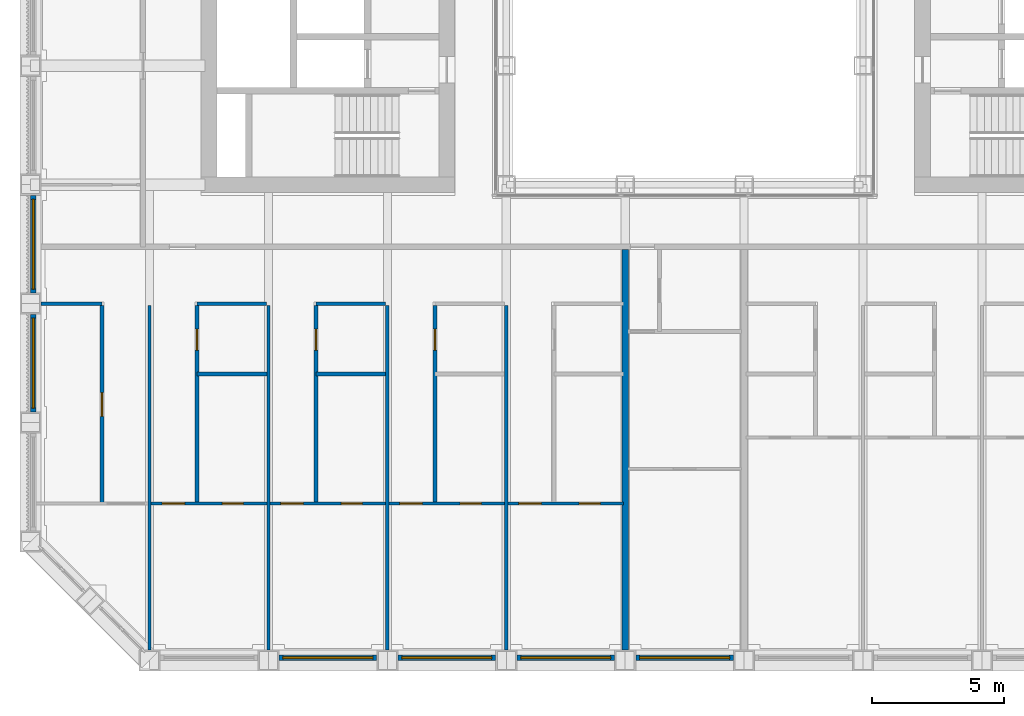
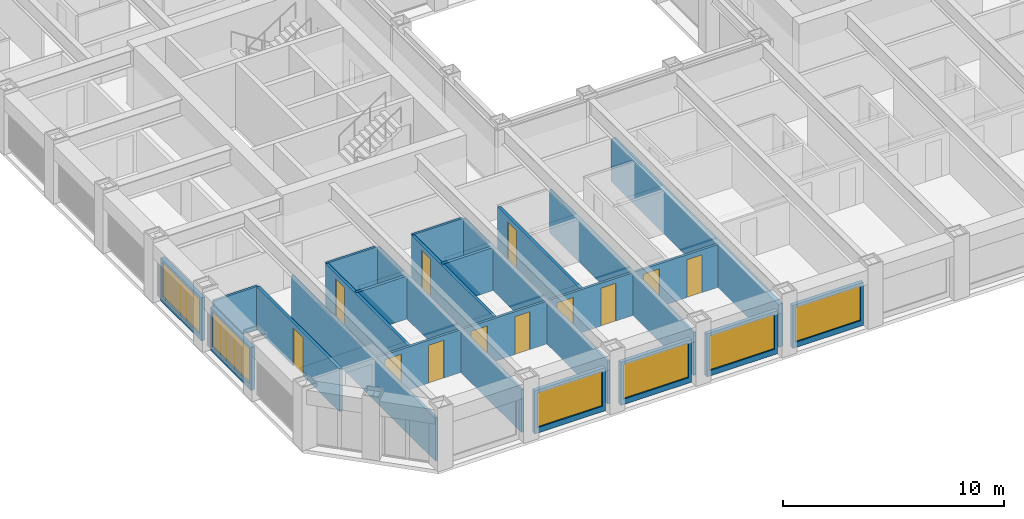
# One storey, part 9 of 21: 24 walls, 12 doors, 6 windows, 18 openings.
"""IFC4 building model written with IfcOpenShell, lengths in metres."""

from ifc_helpers import new_model, si_unit, direction, frame, frame_2d, origin, place, context, subcontext, project, spatial, rectangle, extrude, material, layer, layer_set, type_object, element, fill, save


model = new_model("IFC4")

# Units and contexts
model_context = context("Model", 3, precision=1e-05, world=origin(), true_north=direction((0.0, 1.0)))
body_context = subcontext(model_context, "Body", "Model", "MODEL_VIEW")
ifc_project = project(units=[si_unit("LENGTHUNIT", "METRE"), si_unit("AREAUNIT", "SQUARE_METRE"), si_unit("VOLUMEUNIT", "CUBIC_METRE"), si_unit("PLANEANGLEUNIT", "RADIAN"), si_unit("MASSUNIT", "GRAM", prefix="KILO")], contexts=[model_context])

# Site, building, storey
site_placement = place(None, origin())
site = spatial("IfcSite", under=ifc_project, at=site_placement, CompositionType="ELEMENT")
building_placement = place(site_placement, origin())
building = spatial("IfcBuilding", under=site, at=building_placement, Name="Msasa Ring Tower", CompositionType="ELEMENT")
storey_placement = place(building_placement, frame((0.0, 0.0, 100.0)))
storey = spatial("IfcBuildingStorey", under=building, at=storey_placement, Name="L26", CompositionType="ELEMENT", Elevation=100.0)

# Wall, opening, window
ifc_material_1 = material(Name="Terracotta rainscreen on blockwork", Category="masonry")
ifc_layer_1 = layer(ifc_material_1, 0.199951171875)
ifc_layer_set_1 = layer_set([ifc_layer_1], Name="FW1 TERRACOTTA-LINED INFILL BAY WALL 200")
wall_type_1 = type_object("IfcWallType", Name="FW1 TERRACOTTA-LINED INFILL BAY WALL 200", PredefinedType="SOLIDWALL", material=ifc_layer_set_1)
wall_1_placement = place(storey_placement, frame((-15.344970703125, -24.64990234375, 0.0), z_axis=(0.0, 0.0, 1.0), x_axis=(1.0, 0.0, 0.0)))
wall_1 = element("IfcWall", 1, at=wall_1_placement, inside=storey, type_object=wall_type_1, Name="Infill bay wall S L26 01", PredefinedType="SOLIDWALL", context=body_context, shape_type="SweptSolid", body=[
    extrude(rectangle(XDim=3.68994140625, YDim=0.199951171875, at=frame_2d((1.844970703125, 0.0))), origin(), (0.0, 0.0, 1.0), 2.37890625),
])
opening_1_placement = place(wall_1_placement, frame((0.14501953125, 0.0, 0.300048828125)))
opening_1 = element("IfcOpeningElement", 2, at=opening_1_placement, cuts=wall_1, Name="Opening WN1", PredefinedType="OPENING", context=body_context, shape_type="SweptSolid", body=[
    extrude(rectangle(XDim=3.39990234375, YDim=1.928955078125, at=frame_2d((1.699951171875, 0.96435546875))), frame((0.0, 0.10986328125, 0.0), z_axis=(0.0, -1.0, 0.0), x_axis=(1.0, 0.0, 0.0)), (0.0, 0.0, 1.0), 0.219970703125),
])
ifc_material_2 = material(Name="Aluminium frame with clear glass", Category="aluminium")
window_type = type_object("IfcWindowType", Name="WN1 RESIDENCE WINDOW 3400x1929", PartitioningType="SINGLE_PANEL", PredefinedType="WINDOW", material=ifc_material_2)
window_1_placement = place(opening_1_placement, origin())
window_1 = element("IfcWindow", 3, at=window_1_placement, inside=storey, type_object=window_type, Name="Window S L26 01", OverallHeight=1.928955078125, OverallWidth=3.39990234375, PartitioningType="SINGLE_PANEL", PredefinedType="WINDOW", context=body_context, shape_type="SweptSolid", body=[
    extrude(rectangle(XDim=3.39990234375, YDim=1.928955078125, at=frame_2d((1.699951171875, 0.96435546875))), frame((0.0, 0.030029296875, 0.0), z_axis=(0.0, -1.0, 0.0), x_axis=(1.0, 0.0, 0.0)), (0.0, 0.0, 1.0), 0.06005859375),
])
fill(opening_1, window_1)

wall_2_placement = place(storey_placement, frame((-10.844970703125, -24.64990234375, 0.0), z_axis=(0.0, 0.0, 1.0), x_axis=(1.0, 0.0, 0.0)))
wall_2 = element("IfcWall", 4, at=wall_2_placement, inside=storey, type_object=wall_type_1, Name="Infill bay wall S L26 02", PredefinedType="SOLIDWALL", context=body_context, shape_type="SweptSolid", body=[
    extrude(rectangle(XDim=3.68994140625, YDim=0.199951171875, at=frame_2d((1.844970703125, 0.0))), origin(), (0.0, 0.0, 1.0), 2.37890625),
])
opening_2_placement = place(wall_2_placement, frame((0.14501953125, 0.0, 0.300048828125)))
opening_2 = element("IfcOpeningElement", 5, at=opening_2_placement, cuts=wall_2, Name="Opening WN1", PredefinedType="OPENING", context=body_context, shape_type="SweptSolid", body=[
    extrude(rectangle(XDim=3.39990234375, YDim=1.928955078125, at=frame_2d((1.699951171875, 0.96435546875))), frame((0.0, 0.10986328125, 0.0), z_axis=(0.0, -1.0, 0.0), x_axis=(1.0, 0.0, 0.0)), (0.0, 0.0, 1.0), 0.219970703125),
])
window_2_placement = place(opening_2_placement, origin())
window_2 = element("IfcWindow", 6, at=window_2_placement, inside=storey, type_object=window_type, Name="Window S L26 02", OverallHeight=1.928955078125, OverallWidth=3.39990234375, PartitioningType="SINGLE_PANEL", PredefinedType="WINDOW", context=body_context, shape_type="SweptSolid", body=[
    extrude(rectangle(XDim=3.39990234375, YDim=1.928955078125, at=frame_2d((1.699951171875, 0.96435546875))), frame((0.0, 0.030029296875, 0.0), z_axis=(0.0, -1.0, 0.0), x_axis=(1.0, 0.0, 0.0)), (0.0, 0.0, 1.0), 0.06005859375),
])
fill(opening_2, window_2)

wall_3_placement = place(storey_placement, frame((-6.344970703125, -24.64990234375, 0.0), z_axis=(0.0, 0.0, 1.0), x_axis=(1.0, 0.0, 0.0)))
wall_3 = element("IfcWall", 7, at=wall_3_placement, inside=storey, type_object=wall_type_1, Name="Infill bay wall S L26 03", PredefinedType="SOLIDWALL", context=body_context, shape_type="SweptSolid", body=[
    extrude(rectangle(XDim=3.68994140625, YDim=0.199951171875, at=frame_2d((1.844970703125, 0.0))), origin(), (0.0, 0.0, 1.0), 2.37890625),
])
opening_3_placement = place(wall_3_placement, frame((0.14501953125, 0.0, 0.300048828125)))
opening_3 = element("IfcOpeningElement", 8, at=opening_3_placement, cuts=wall_3, Name="Opening WN1", PredefinedType="OPENING", context=body_context, shape_type="SweptSolid", body=[
    extrude(rectangle(XDim=3.39990234375, YDim=1.928955078125, at=frame_2d((1.699951171875, 0.96435546875))), frame((0.0, 0.10986328125, 0.0), z_axis=(0.0, -1.0, 0.0), x_axis=(1.0, 0.0, 0.0)), (0.0, 0.0, 1.0), 0.219970703125),
])
window_3_placement = place(opening_3_placement, origin())
window_3 = element("IfcWindow", 9, at=window_3_placement, inside=storey, type_object=window_type, Name="Window S L26 03", OverallHeight=1.928955078125, OverallWidth=3.39990234375, PartitioningType="SINGLE_PANEL", PredefinedType="WINDOW", context=body_context, shape_type="SweptSolid", body=[
    extrude(rectangle(XDim=3.39990234375, YDim=1.928955078125, at=frame_2d((1.699951171875, 0.96435546875))), frame((0.0, 0.030029296875, 0.0), z_axis=(0.0, -1.0, 0.0), x_axis=(1.0, 0.0, 0.0)), (0.0, 0.0, 1.0), 0.06005859375),
])
fill(opening_3, window_3)

wall_4_placement = place(storey_placement, frame((-1.844970703125, -24.64990234375, 0.0), z_axis=(0.0, 0.0, 1.0), x_axis=(1.0, 0.0, 0.0)))
wall_4 = element("IfcWall", 10, at=wall_4_placement, inside=storey, type_object=wall_type_1, Name="Infill bay wall S L26 04", PredefinedType="SOLIDWALL", context=body_context, shape_type="SweptSolid", body=[
    extrude(rectangle(XDim=3.68994140625, YDim=0.199951171875, at=frame_2d((1.844970703125, 0.0))), origin(), (0.0, 0.0, 1.0), 2.37890625),
])
opening_4_placement = place(wall_4_placement, frame((0.14501953125, 0.0, 0.300048828125)))
opening_4 = element("IfcOpeningElement", 11, at=opening_4_placement, cuts=wall_4, Name="Opening WN1", PredefinedType="OPENING", context=body_context, shape_type="SweptSolid", body=[
    extrude(rectangle(XDim=3.39990234375, YDim=1.928955078125, at=frame_2d((1.699951171875, 0.96435546875))), frame((0.0, 0.10986328125, 0.0), z_axis=(0.0, -1.0, 0.0), x_axis=(1.0, 0.0, 0.0)), (0.0, 0.0, 1.0), 0.219970703125),
])
window_4_placement = place(opening_4_placement, origin())
window_4 = element("IfcWindow", 12, at=window_4_placement, inside=storey, type_object=window_type, Name="Window S L26 04", OverallHeight=1.928955078125, OverallWidth=3.39990234375, PartitioningType="SINGLE_PANEL", PredefinedType="WINDOW", context=body_context, shape_type="SweptSolid", body=[
    extrude(rectangle(XDim=3.39990234375, YDim=1.928955078125, at=frame_2d((1.699951171875, 0.96435546875))), frame((0.0, 0.030029296875, 0.0), z_axis=(0.0, -1.0, 0.0), x_axis=(1.0, 0.0, 0.0)), (0.0, 0.0, 1.0), 0.06005859375),
])
fill(opening_4, window_4)

wall_5_placement = place(storey_placement, frame((-24.64990234375, -15.344970703125, 0.0), z_axis=(0.0, 0.0, 1.0), x_axis=(0.0, 1.0, 0.0)))
wall_5 = element("IfcWall", 13, at=wall_5_placement, inside=storey, type_object=wall_type_1, Name="Infill bay wall W L26 34", PredefinedType="SOLIDWALL", context=body_context, shape_type="SweptSolid", body=[
    extrude(rectangle(XDim=3.68994140625, YDim=0.199951171875, at=frame_2d((1.844970703125, 0.0))), origin(), (0.0, 0.0, 1.0), 2.37890625),
])
opening_5_placement = place(wall_5_placement, frame((0.14501953125, 0.0, 0.300048828125)))
opening_5 = element("IfcOpeningElement", 14, at=opening_5_placement, cuts=wall_5, Name="Opening WN1", PredefinedType="OPENING", context=body_context, shape_type="SweptSolid", body=[
    extrude(rectangle(XDim=3.39990234375, YDim=1.928955078125, at=frame_2d((1.699951171875, 0.96435546875))), frame((0.0, 0.10986328125, 0.0), z_axis=(0.0, -1.0, 0.0), x_axis=(1.0, 0.0, 0.0)), (0.0, 0.0, 1.0), 0.219970703125),
])
window_5_placement = place(opening_5_placement, origin())
window_5 = element("IfcWindow", 15, at=window_5_placement, inside=storey, type_object=window_type, Name="Window W L26 34", OverallHeight=1.928955078125, OverallWidth=3.39990234375, PartitioningType="SINGLE_PANEL", PredefinedType="WINDOW", context=body_context, shape_type="SweptSolid", body=[
    extrude(rectangle(XDim=3.39990234375, YDim=1.928955078125, at=frame_2d((1.699951171875, 0.96435546875))), frame((0.0, 0.030029296875, 0.0), z_axis=(0.0, -1.0, 0.0), x_axis=(1.0, 0.0, 0.0)), (0.0, 0.0, 1.0), 0.06005859375),
])
fill(opening_5, window_5)

wall_6_placement = place(storey_placement, frame((-24.64990234375, -10.844970703125, 0.0), z_axis=(0.0, 0.0, 1.0), x_axis=(0.0, 1.0, 0.0)))
wall_6 = element("IfcWall", 16, at=wall_6_placement, inside=storey, type_object=wall_type_1, Name="Infill bay wall W L26 35", PredefinedType="SOLIDWALL", context=body_context, shape_type="SweptSolid", body=[
    extrude(rectangle(XDim=3.68994140625, YDim=0.199951171875, at=frame_2d((1.844970703125, 0.0))), origin(), (0.0, 0.0, 1.0), 2.37890625),
])
opening_6_placement = place(wall_6_placement, frame((0.14501953125, 0.0, 0.300048828125)))
opening_6 = element("IfcOpeningElement", 17, at=opening_6_placement, cuts=wall_6, Name="Opening WN1", PredefinedType="OPENING", context=body_context, shape_type="SweptSolid", body=[
    extrude(rectangle(XDim=3.39990234375, YDim=1.928955078125, at=frame_2d((1.699951171875, 0.96435546875))), frame((0.0, 0.10986328125, 0.0), z_axis=(0.0, -1.0, 0.0), x_axis=(1.0, 0.0, 0.0)), (0.0, 0.0, 1.0), 0.219970703125),
])
window_6_placement = place(opening_6_placement, origin())
window_6 = element("IfcWindow", 18, at=window_6_placement, inside=storey, type_object=window_type, Name="Window W L26 35", OverallHeight=1.928955078125, OverallWidth=3.39990234375, PartitioningType="SINGLE_PANEL", PredefinedType="WINDOW", context=body_context, shape_type="SweptSolid", body=[
    extrude(rectangle(XDim=3.39990234375, YDim=1.928955078125, at=frame_2d((1.699951171875, 0.96435546875))), frame((0.0, 0.030029296875, 0.0), z_axis=(0.0, -1.0, 0.0), x_axis=(1.0, 0.0, 0.0)), (0.0, 0.0, 1.0), 0.06005859375),
])
fill(opening_6, window_6)

# Wall
ifc_material_3 = material(Name="Dense concrete blockwork, plastered both faces", Category="masonry")
ifc_layer_2 = layer(ifc_material_3, 0.25)
ifc_layer_set_2 = layer_set([ifc_layer_2], Name="PT3 APARTMENT SEPARATING WALL 250")
wall_type_2 = type_object("IfcWallType", Name="PT3 APARTMENT SEPARATING WALL 250", PredefinedType="PARTITIONING", material=ifc_layer_set_2)
wall_7_placement = place(storey_placement, frame((-2.25, -24.35009765625, 0.0), z_axis=(0.0, 0.0, 1.0), x_axis=(0.0, 1.0, 0.0)))
element("IfcWall", 19, at=wall_7_placement, inside=storey, type_object=wall_type_2, Name="Party wall L26-PWS-2.25", PredefinedType="PARTITIONING", context=body_context, shape_type="SweptSolid", body=[
    extrude(rectangle(XDim=15.150146484375, YDim=0.25, at=frame_2d((7.5751953125, 0.0))), origin(), (0.0, 0.0, 1.0), 2.373291015625),
])

# Wall, opening, door
ifc_material_4 = material(Name="Moisture-resistant board on steel studs with a concealed cistern and pipe void, tiled", Category="steel")
ifc_layer_3 = layer(ifc_material_4, 0.14990234375)
ifc_layer_set_3 = layer_set([ifc_layer_3], Name="PT4 BATHROOM WET WALL 150")
wall_type_3 = type_object("IfcWallType", Name="PT4 BATHROOM WET WALL 150", PredefinedType="PARTITIONING", material=ifc_layer_set_3)
wall_8_placement = place(storey_placement, frame((-22.050048828125, -18.8125, 0.0), z_axis=(0.0, 0.0, 1.0), x_axis=(0.0, 1.0, 0.0)))
wall_8 = element("IfcWall", 20, at=wall_8_placement, inside=storey, type_object=wall_type_3, Name="Partition L26-US00SX0", PredefinedType="PARTITIONING", context=body_context, shape_type="SweptSolid", body=[
    extrude(rectangle(XDim=7.5, YDim=0.14990234375, at=frame_2d((3.75, 0.0))), origin(), (0.0, 0.0, 1.0), 2.373291015625),
])
opening_7_placement = place(wall_8_placement, frame((3.300048828125, 0.0, 0.0)))
opening_7 = element("IfcOpeningElement", 21, at=opening_7_placement, cuts=wall_8, Name="Opening RH-063", PredefinedType="OPENING", context=body_context, shape_type="SweptSolid", body=[
    extrude(rectangle(XDim=0.89990234375, YDim=2.10009765625, at=frame_2d((0.449951171875, 1.050048828125))), frame((0.0, 0.0849609375, 0.0), z_axis=(0.0, -1.0, 0.0), x_axis=(1.0, 0.0, 0.0)), (0.0, 0.0, 1.0), 0.169921875),
])
ifc_material_5 = material(Name="Timber door leaf in a steel frame", Category="steel")
door_type_1 = type_object("IfcDoorType", Name="D22 INTERNAL HALL DOOR 900x2100", OperationType="SINGLE_SWING_LEFT", PredefinedType="DOOR", material=ifc_material_5)
door_1_placement = place(opening_7_placement, origin())
door_1 = element("IfcDoor", 22, at=door_1_placement, inside=storey, type_object=door_type_1, Name="Door L26-US00K", OperationType="SINGLE_SWING_LEFT", OverallHeight=2.10009765625, OverallWidth=0.89990234375, PredefinedType="DOOR", context=body_context, shape_type="SweptSolid", body=[
    extrude(rectangle(XDim=0.89990234375, YDim=2.10009765625, at=frame_2d((0.449951171875, 1.050048828125))), frame((0.0, 0.02490234375, 0.0), z_axis=(0.0, -1.0, 0.0), x_axis=(1.0, 0.0, 0.0)), (0.0, 0.0, 1.0), 0.050048828125),
])
fill(opening_7, door_1)

wall_9_placement = place(storey_placement, frame((-18.449951171875, -18.8125, 0.0), z_axis=(0.0, 0.0, 1.0), x_axis=(0.0, 1.0, 0.0)))
wall_9 = element("IfcWall", 23, at=wall_9_placement, inside=storey, type_object=wall_type_3, Name="Partition L26-US00SX1", PredefinedType="PARTITIONING", context=body_context, shape_type="SweptSolid", body=[
    extrude(rectangle(XDim=7.5, YDim=0.14990234375, at=frame_2d((3.75, 0.0))), origin(), (0.0, 0.0, 1.0), 2.373291015625),
])
opening_8_placement = place(wall_9_placement, frame((5.800048828125, 0.0, 0.0)))
opening_8 = element("IfcOpeningElement", 24, at=opening_8_placement, cuts=wall_9, Name="Opening RH-054", PredefinedType="OPENING", context=body_context, shape_type="SweptSolid", body=[
    extrude(rectangle(XDim=0.800048828125, YDim=2.10009765625, at=frame_2d((0.39990234375, 1.050048828125))), frame((0.0, 0.0849609375, 0.0), z_axis=(0.0, -1.0, 0.0), x_axis=(1.0, 0.0, 0.0)), (0.0, 0.0, 1.0), 0.169921875),
])
ifc_material_6 = material(Name="Timber door leaf in a steel frame", Category="steel")
door_type_2 = type_object("IfcDoorType", Name="D21 POCKET SLIDING BATHROOM DOOR 800x2100", OperationType="SINGLE_SWING_LEFT", PredefinedType="DOOR", material=ifc_material_6)
door_2_placement = place(opening_8_placement, origin())
door_2 = element("IfcDoor", 25, at=door_2_placement, inside=storey, type_object=door_type_2, Name="Door L26-US00B1", OperationType="SINGLE_SWING_RIGHT", OverallHeight=2.10009765625, OverallWidth=0.800048828125, PredefinedType="DOOR", context=body_context, shape_type="SweptSolid", body=[
    extrude(rectangle(XDim=0.800048828125, YDim=2.10009765625, at=frame_2d((0.39990234375, 1.050048828125))), frame((0.0, 0.02490234375, 0.0), z_axis=(0.0, -1.0, 0.0), x_axis=(1.0, 0.0, 0.0)), (0.0, 0.0, 1.0), 0.050048828125),
])
fill(opening_8, door_2)

# Wall
wall_10_placement = place(storey_placement, frame((-18.449951171875, -13.91259765625, 0.0), z_axis=(0.0, 0.0, 1.0), x_axis=(1.0, 0.0, 0.0)))
element("IfcWall", 26, at=wall_10_placement, inside=storey, type_object=wall_type_3, Name="Partition L26-US00SB1", PredefinedType="PARTITIONING", context=body_context, shape_type="SweptSolid", body=[
    extrude(rectangle(XDim=2.637451171875, YDim=0.14990234375, at=frame_2d((1.31884765625, 0.0))), origin(), (0.0, 0.0, 1.0), 2.373291015625),
])

# Wall, opening, door
wall_11_placement = place(storey_placement, frame((-13.949951171875, -18.8125, 0.0), z_axis=(0.0, 0.0, 1.0), x_axis=(0.0, 1.0, 0.0)))
wall_11 = element("IfcWall", 27, at=wall_11_placement, inside=storey, type_object=wall_type_3, Name="Partition L26-US00SX2", PredefinedType="PARTITIONING", context=body_context, shape_type="SweptSolid", body=[
    extrude(rectangle(XDim=7.5, YDim=0.14990234375, at=frame_2d((3.75, 0.0))), origin(), (0.0, 0.0, 1.0), 2.373291015625),
])
opening_9_placement = place(wall_11_placement, frame((5.800048828125, 0.0, 0.0)))
opening_9 = element("IfcOpeningElement", 28, at=opening_9_placement, cuts=wall_11, Name="Opening RH-055", PredefinedType="OPENING", context=body_context, shape_type="SweptSolid", body=[
    extrude(rectangle(XDim=0.800048828125, YDim=2.10009765625, at=frame_2d((0.39990234375, 1.050048828125))), frame((0.0, 0.0849609375, 0.0), z_axis=(0.0, -1.0, 0.0), x_axis=(1.0, 0.0, 0.0)), (0.0, 0.0, 1.0), 0.169921875),
])
door_3_placement = place(opening_9_placement, origin())
door_3 = element("IfcDoor", 29, at=door_3_placement, inside=storey, type_object=door_type_2, Name="Door L26-US00B2", OperationType="SINGLE_SWING_RIGHT", OverallHeight=2.10009765625, OverallWidth=0.800048828125, PredefinedType="DOOR", context=body_context, shape_type="SweptSolid", body=[
    extrude(rectangle(XDim=0.800048828125, YDim=2.10009765625, at=frame_2d((0.39990234375, 1.050048828125))), frame((0.0, 0.02490234375, 0.0), z_axis=(0.0, -1.0, 0.0), x_axis=(1.0, 0.0, 0.0)), (0.0, 0.0, 1.0), 0.050048828125),
])
fill(opening_9, door_3)

# Wall
wall_12_placement = place(storey_placement, frame((-13.949951171875, -13.91259765625, 0.0), z_axis=(0.0, 0.0, 1.0), x_axis=(1.0, 0.0, 0.0)))
element("IfcWall", 30, at=wall_12_placement, inside=storey, type_object=wall_type_3, Name="Partition L26-US00SB2", PredefinedType="PARTITIONING", context=body_context, shape_type="SweptSolid", body=[
    extrude(rectangle(XDim=2.637451171875, YDim=0.14990234375, at=frame_2d((1.31884765625, 0.0))), origin(), (0.0, 0.0, 1.0), 2.373291015625),
])

# Wall, opening, door
wall_13_placement = place(storey_placement, frame((-9.449951171875, -18.8125, 0.0), z_axis=(0.0, 0.0, 1.0), x_axis=(0.0, 1.0, 0.0)))
wall_13 = element("IfcWall", 31, at=wall_13_placement, inside=storey, type_object=wall_type_3, Name="Partition L26-US00SX3", PredefinedType="PARTITIONING", context=body_context, shape_type="SweptSolid", body=[
    extrude(rectangle(XDim=7.5, YDim=0.14990234375, at=frame_2d((3.75, 0.0))), origin(), (0.0, 0.0, 1.0), 2.373291015625),
])
opening_10_placement = place(wall_13_placement, frame((5.800048828125, 0.0, 0.0)))
opening_10 = element("IfcOpeningElement", 32, at=opening_10_placement, cuts=wall_13, Name="Opening RH-056", PredefinedType="OPENING", context=body_context, shape_type="SweptSolid", body=[
    extrude(rectangle(XDim=0.800048828125, YDim=2.10009765625, at=frame_2d((0.39990234375, 1.050048828125))), frame((0.0, 0.0849609375, 0.0), z_axis=(0.0, -1.0, 0.0), x_axis=(1.0, 0.0, 0.0)), (0.0, 0.0, 1.0), 0.169921875),
])
door_4_placement = place(opening_10_placement, origin())
door_4 = element("IfcDoor", 33, at=door_4_placement, inside=storey, type_object=door_type_2, Name="Door L26-US00B3", OperationType="SINGLE_SWING_RIGHT", OverallHeight=2.10009765625, OverallWidth=0.800048828125, PredefinedType="DOOR", context=body_context, shape_type="SweptSolid", body=[
    extrude(rectangle(XDim=0.800048828125, YDim=2.10009765625, at=frame_2d((0.39990234375, 1.050048828125))), frame((0.0, 0.02490234375, 0.0), z_axis=(0.0, -1.0, 0.0), x_axis=(1.0, 0.0, 0.0)), (0.0, 0.0, 1.0), 0.050048828125),
])
fill(opening_10, door_4)

# Walls
ifc_material_7 = material(Name="Two layers of acoustic board each face on steel studs, mineral wool", Category="steel")
ifc_layer_4 = layer(ifc_material_7, 0.125)
ifc_layer_set_4 = layer_set([ifc_layer_4], Name="PT6 ACOUSTIC DOUBLE-BOARD PARTITION 125")
wall_type_4 = type_object("IfcWallType", Name="PT6 ACOUSTIC DOUBLE-BOARD PARTITION 125", PredefinedType="PARTITIONING", material=ifc_layer_set_4)
wall_14_placement = place(storey_placement, frame((-24.35009765625, -11.25, 0.0), z_axis=(0.0, 0.0, 1.0), x_axis=(1.0, 0.0, 0.0)))
element("IfcWall", 34, at=wall_14_placement, inside=storey, type_object=wall_type_4, Name="Partition L26-US00HY0", PredefinedType="PARTITIONING", context=body_context, shape_type="SweptSolid", body=[
    extrude(rectangle(XDim=2.300048828125, YDim=0.125, at=frame_2d((1.14990234375, 0.0))), origin(), (0.0, 0.0, 1.0), 2.373291015625),
])
wall_15_placement = place(storey_placement, frame((-20.25, -24.35009765625, 0.0), z_axis=(0.0, 0.0, 1.0), x_axis=(0.0, 1.0, 0.0)))
element("IfcWall", 35, at=wall_15_placement, inside=storey, type_object=wall_type_4, Name="Partition L26-US00P1", PredefinedType="PARTITIONING", context=body_context, shape_type="SweptSolid", body=[
    extrude(rectangle(XDim=13.03759765625, YDim=0.125, at=frame_2d((6.518798828125, 0.0))), origin(), (0.0, 0.0, 1.0), 2.373291015625),
])
wall_16_placement = place(storey_placement, frame((-18.449951171875, -11.25, 0.0), z_axis=(0.0, 0.0, 1.0), x_axis=(1.0, 0.0, 0.0)))
element("IfcWall", 36, at=wall_16_placement, inside=storey, type_object=wall_type_4, Name="Partition L26-US00HY1", PredefinedType="PARTITIONING", context=body_context, shape_type="SweptSolid", body=[
    extrude(rectangle(XDim=2.632568359375, YDim=0.125, at=frame_2d((1.31640625, 0.0))), origin(), (0.0, 0.0, 1.0), 2.373291015625),
])

# Wall, openings, doors
wall_17_placement = place(storey_placement, frame((-20.1875, -18.8125, 0.0), z_axis=(0.0, 0.0, 1.0), x_axis=(1.0, 0.0, 0.0)))
wall_17 = element("IfcWall", 37, at=wall_17_placement, inside=storey, type_object=wall_type_4, Name="Partition L26-US00SY1", PredefinedType="PARTITIONING", context=body_context, shape_type="SweptSolid", body=[
    extrude(rectangle(XDim=4.375, YDim=0.125, at=frame_2d((2.1875, 0.0))), origin(), (0.0, 0.0, 1.0), 2.373291015625),
])
opening_11_placement = place(wall_17_placement, frame((0.41259765625, 0.0, 0.0)))
opening_11 = element("IfcOpeningElement", 38, at=opening_11_placement, cuts=wall_17, Name="Opening RH-075", PredefinedType="OPENING", context=body_context, shape_type="SweptSolid", body=[
    extrude(rectangle(XDim=0.85009765625, YDim=2.10009765625, at=frame_2d((0.425048828125, 1.050048828125))), frame((0.0, 0.072509765625, 0.0), z_axis=(0.0, -1.0, 0.0), x_axis=(1.0, 0.0, 0.0)), (0.0, 0.0, 1.0), 0.14501953125),
])
opening_12_placement = place(wall_17_placement, frame((2.693603515625, 0.0, 0.0)))
opening_12 = element("IfcOpeningElement", 39, at=opening_12_placement, cuts=wall_17, Name="Opening RH-076", PredefinedType="OPENING", context=body_context, shape_type="SweptSolid", body=[
    extrude(rectangle(XDim=0.800048828125, YDim=2.10009765625, at=frame_2d((0.39990234375, 1.050048828125))), frame((0.0, 0.072509765625, 0.0), z_axis=(0.0, -1.0, 0.0), x_axis=(1.0, 0.0, 0.0)), (0.0, 0.0, 1.0), 0.14501953125),
])
ifc_material_8 = material(Name="Timber door leaf in a steel frame", Category="steel")
door_type_3 = type_object("IfcDoorType", Name="D14 BEDROOM DOOR 850x2100", OperationType="SINGLE_SWING_LEFT", PredefinedType="DOOR", material=ifc_material_8)
door_5_placement = place(opening_11_placement, origin())
door_5 = element("IfcDoor", 40, at=door_5_placement, inside=storey, type_object=door_type_3, Name="Door L26-US00R1", OperationType="SINGLE_SWING_LEFT", OverallHeight=2.10009765625, OverallWidth=0.85009765625, PredefinedType="DOOR", context=body_context, shape_type="SweptSolid", body=[
    extrude(rectangle(XDim=0.85009765625, YDim=2.10009765625, at=frame_2d((0.425048828125, 1.050048828125))), frame((0.0, 0.02490234375, 0.0), z_axis=(0.0, -1.0, 0.0), x_axis=(1.0, 0.0, 0.0)), (0.0, 0.0, 1.0), 0.050048828125),
])
fill(opening_11, door_5)
ifc_material_9 = material(Name="Timber door leaf in a steel frame", Category="steel")
door_type_4 = type_object("IfcDoorType", Name="D60 DRESSING ROOM DOOR 800x2100", OperationType="SINGLE_SWING_LEFT", PredefinedType="DOOR", material=ifc_material_9)
door_6_placement = place(opening_12_placement, origin())
door_6 = element("IfcDoor", 41, at=door_6_placement, inside=storey, type_object=door_type_4, Name="Door L26-US00W1", OperationType="SINGLE_SWING_RIGHT", OverallHeight=2.10009765625, OverallWidth=0.800048828125, PredefinedType="DOOR", context=body_context, shape_type="SweptSolid", body=[
    extrude(rectangle(XDim=0.800048828125, YDim=2.10009765625, at=frame_2d((0.39990234375, 1.050048828125))), frame((0.0, 0.02490234375, 0.0), z_axis=(0.0, -1.0, 0.0), x_axis=(1.0, 0.0, 0.0)), (0.0, 0.0, 1.0), 0.050048828125),
])
fill(opening_12, door_6)

# Walls
wall_18_placement = place(storey_placement, frame((-15.75, -24.35009765625, 0.0), z_axis=(0.0, 0.0, 1.0), x_axis=(0.0, 1.0, 0.0)))
element("IfcWall", 42, at=wall_18_placement, inside=storey, type_object=wall_type_4, Name="Partition L26-US00P2", PredefinedType="PARTITIONING", context=body_context, shape_type="SweptSolid", body=[
    extrude(rectangle(XDim=13.03759765625, YDim=0.125, at=frame_2d((6.518798828125, 0.0))), origin(), (0.0, 0.0, 1.0), 2.373291015625),
])
wall_19_placement = place(storey_placement, frame((-13.949951171875, -11.25, 0.0), z_axis=(0.0, 0.0, 1.0), x_axis=(1.0, 0.0, 0.0)))
element("IfcWall", 43, at=wall_19_placement, inside=storey, type_object=wall_type_4, Name="Partition L26-US00HY2", PredefinedType="PARTITIONING", context=body_context, shape_type="SweptSolid", body=[
    extrude(rectangle(XDim=2.632568359375, YDim=0.125, at=frame_2d((1.31640625, 0.0))), origin(), (0.0, 0.0, 1.0), 2.373291015625),
])

# Wall, openings, doors
wall_20_placement = place(storey_placement, frame((-15.6875, -18.8125, 0.0), z_axis=(0.0, 0.0, 1.0), x_axis=(1.0, 0.0, 0.0)))
wall_20 = element("IfcWall", 44, at=wall_20_placement, inside=storey, type_object=wall_type_4, Name="Partition L26-US00SY2", PredefinedType="PARTITIONING", context=body_context, shape_type="SweptSolid", body=[
    extrude(rectangle(XDim=4.375, YDim=0.125, at=frame_2d((2.1875, 0.0))), origin(), (0.0, 0.0, 1.0), 2.373291015625),
])
opening_13_placement = place(wall_20_placement, frame((0.41259765625, 0.0, 0.0)))
opening_13 = element("IfcOpeningElement", 45, at=opening_13_placement, cuts=wall_20, Name="Opening RH-077", PredefinedType="OPENING", context=body_context, shape_type="SweptSolid", body=[
    extrude(rectangle(XDim=0.85009765625, YDim=2.10009765625, at=frame_2d((0.425048828125, 1.050048828125))), frame((0.0, 0.072509765625, 0.0), z_axis=(0.0, -1.0, 0.0), x_axis=(1.0, 0.0, 0.0)), (0.0, 0.0, 1.0), 0.14501953125),
])
opening_14_placement = place(wall_20_placement, frame((2.693603515625, 0.0, 0.0)))
opening_14 = element("IfcOpeningElement", 46, at=opening_14_placement, cuts=wall_20, Name="Opening RH-078", PredefinedType="OPENING", context=body_context, shape_type="SweptSolid", body=[
    extrude(rectangle(XDim=0.800048828125, YDim=2.10009765625, at=frame_2d((0.39990234375, 1.050048828125))), frame((0.0, 0.072509765625, 0.0), z_axis=(0.0, -1.0, 0.0), x_axis=(1.0, 0.0, 0.0)), (0.0, 0.0, 1.0), 0.14501953125),
])
door_7_placement = place(opening_13_placement, origin())
door_7 = element("IfcDoor", 47, at=door_7_placement, inside=storey, type_object=door_type_3, Name="Door L26-US00R2", OperationType="SINGLE_SWING_LEFT", OverallHeight=2.10009765625, OverallWidth=0.85009765625, PredefinedType="DOOR", context=body_context, shape_type="SweptSolid", body=[
    extrude(rectangle(XDim=0.85009765625, YDim=2.10009765625, at=frame_2d((0.425048828125, 1.050048828125))), frame((0.0, 0.02490234375, 0.0), z_axis=(0.0, -1.0, 0.0), x_axis=(1.0, 0.0, 0.0)), (0.0, 0.0, 1.0), 0.050048828125),
])
fill(opening_13, door_7)
door_8_placement = place(opening_14_placement, origin())
door_8 = element("IfcDoor", 48, at=door_8_placement, inside=storey, type_object=door_type_4, Name="Door L26-US00W2", OperationType="SINGLE_SWING_RIGHT", OverallHeight=2.10009765625, OverallWidth=0.800048828125, PredefinedType="DOOR", context=body_context, shape_type="SweptSolid", body=[
    extrude(rectangle(XDim=0.800048828125, YDim=2.10009765625, at=frame_2d((0.39990234375, 1.050048828125))), frame((0.0, 0.02490234375, 0.0), z_axis=(0.0, -1.0, 0.0), x_axis=(1.0, 0.0, 0.0)), (0.0, 0.0, 1.0), 0.050048828125),
])
fill(opening_14, door_8)

# Wall
wall_21_placement = place(storey_placement, frame((-11.25, -24.35009765625, 0.0), z_axis=(0.0, 0.0, 1.0), x_axis=(0.0, 1.0, 0.0)))
element("IfcWall", 49, at=wall_21_placement, inside=storey, type_object=wall_type_4, Name="Partition L26-US00P3", PredefinedType="PARTITIONING", context=body_context, shape_type="SweptSolid", body=[
    extrude(rectangle(XDim=13.03759765625, YDim=0.125, at=frame_2d((6.518798828125, 0.0))), origin(), (0.0, 0.0, 1.0), 2.373291015625),
])

# Wall, openings, doors
wall_22_placement = place(storey_placement, frame((-11.1875, -18.8125, 0.0), z_axis=(0.0, 0.0, 1.0), x_axis=(1.0, 0.0, 0.0)))
wall_22 = element("IfcWall", 50, at=wall_22_placement, inside=storey, type_object=wall_type_4, Name="Partition L26-US00SY3", PredefinedType="PARTITIONING", context=body_context, shape_type="SweptSolid", body=[
    extrude(rectangle(XDim=4.375, YDim=0.125, at=frame_2d((2.1875, 0.0))), origin(), (0.0, 0.0, 1.0), 2.373291015625),
])
opening_15_placement = place(wall_22_placement, frame((0.41259765625, 0.0, 0.0)))
opening_15 = element("IfcOpeningElement", 51, at=opening_15_placement, cuts=wall_22, Name="Opening RH-079", PredefinedType="OPENING", context=body_context, shape_type="SweptSolid", body=[
    extrude(rectangle(XDim=0.85009765625, YDim=2.10009765625, at=frame_2d((0.425048828125, 1.050048828125))), frame((0.0, 0.072509765625, 0.0), z_axis=(0.0, -1.0, 0.0), x_axis=(1.0, 0.0, 0.0)), (0.0, 0.0, 1.0), 0.14501953125),
])
opening_16_placement = place(wall_22_placement, frame((2.693603515625, 0.0, 0.0)))
opening_16 = element("IfcOpeningElement", 52, at=opening_16_placement, cuts=wall_22, Name="Opening RH-080", PredefinedType="OPENING", context=body_context, shape_type="SweptSolid", body=[
    extrude(rectangle(XDim=0.800048828125, YDim=2.10009765625, at=frame_2d((0.39990234375, 1.050048828125))), frame((0.0, 0.072509765625, 0.0), z_axis=(0.0, -1.0, 0.0), x_axis=(1.0, 0.0, 0.0)), (0.0, 0.0, 1.0), 0.14501953125),
])
door_9_placement = place(opening_15_placement, origin())
door_9 = element("IfcDoor", 53, at=door_9_placement, inside=storey, type_object=door_type_3, Name="Door L26-US00R3", OperationType="SINGLE_SWING_LEFT", OverallHeight=2.10009765625, OverallWidth=0.85009765625, PredefinedType="DOOR", context=body_context, shape_type="SweptSolid", body=[
    extrude(rectangle(XDim=0.85009765625, YDim=2.10009765625, at=frame_2d((0.425048828125, 1.050048828125))), frame((0.0, 0.02490234375, 0.0), z_axis=(0.0, -1.0, 0.0), x_axis=(1.0, 0.0, 0.0)), (0.0, 0.0, 1.0), 0.050048828125),
])
fill(opening_15, door_9)
door_10_placement = place(opening_16_placement, origin())
door_10 = element("IfcDoor", 54, at=door_10_placement, inside=storey, type_object=door_type_4, Name="Door L26-US00W3", OperationType="SINGLE_SWING_RIGHT", OverallHeight=2.10009765625, OverallWidth=0.800048828125, PredefinedType="DOOR", context=body_context, shape_type="SweptSolid", body=[
    extrude(rectangle(XDim=0.800048828125, YDim=2.10009765625, at=frame_2d((0.39990234375, 1.050048828125))), frame((0.0, 0.02490234375, 0.0), z_axis=(0.0, -1.0, 0.0), x_axis=(1.0, 0.0, 0.0)), (0.0, 0.0, 1.0), 0.050048828125),
])
fill(opening_16, door_10)

# Wall
wall_23_placement = place(storey_placement, frame((-6.75, -24.35009765625, 0.0), z_axis=(0.0, 0.0, 1.0), x_axis=(0.0, 1.0, 0.0)))
element("IfcWall", 55, at=wall_23_placement, inside=storey, type_object=wall_type_4, Name="Partition L26-US00P4", PredefinedType="PARTITIONING", context=body_context, shape_type="SweptSolid", body=[
    extrude(rectangle(XDim=13.03759765625, YDim=0.125, at=frame_2d((6.518798828125, 0.0))), origin(), (0.0, 0.0, 1.0), 2.373291015625),
])

# Wall, openings, doors
wall_24_placement = place(storey_placement, frame((-6.6875, -18.8125, 0.0), z_axis=(0.0, 0.0, 1.0), x_axis=(1.0, 0.0, 0.0)))
wall_24 = element("IfcWall", 56, at=wall_24_placement, inside=storey, type_object=wall_type_4, Name="Partition L26-US00SY4", PredefinedType="PARTITIONING", context=body_context, shape_type="SweptSolid", body=[
    extrude(rectangle(XDim=4.3701171875, YDim=0.125, at=frame_2d((2.18505859375, 0.0))), origin(), (0.0, 0.0, 1.0), 2.373291015625),
])
opening_17_placement = place(wall_24_placement, frame((0.41259765625, 0.0, 0.0)))
opening_17 = element("IfcOpeningElement", 57, at=opening_17_placement, cuts=wall_24, Name="Opening RH-081", PredefinedType="OPENING", context=body_context, shape_type="SweptSolid", body=[
    extrude(rectangle(XDim=0.85009765625, YDim=2.10009765625, at=frame_2d((0.425048828125, 1.050048828125))), frame((0.0, 0.072509765625, 0.0), z_axis=(0.0, -1.0, 0.0), x_axis=(1.0, 0.0, 0.0)), (0.0, 0.0, 1.0), 0.14501953125),
])
opening_18_placement = place(wall_24_placement, frame((2.693603515625, 0.0, 0.0)))
opening_18 = element("IfcOpeningElement", 58, at=opening_18_placement, cuts=wall_24, Name="Opening RH-082", PredefinedType="OPENING", context=body_context, shape_type="SweptSolid", body=[
    extrude(rectangle(XDim=0.800048828125, YDim=2.10009765625, at=frame_2d((0.39990234375, 1.050048828125))), frame((0.0, 0.072509765625, 0.0), z_axis=(0.0, -1.0, 0.0), x_axis=(1.0, 0.0, 0.0)), (0.0, 0.0, 1.0), 0.14501953125),
])
door_11_placement = place(opening_17_placement, origin())
door_11 = element("IfcDoor", 59, at=door_11_placement, inside=storey, type_object=door_type_3, Name="Door L26-US00R4", OperationType="SINGLE_SWING_LEFT", OverallHeight=2.10009765625, OverallWidth=0.85009765625, PredefinedType="DOOR", context=body_context, shape_type="SweptSolid", body=[
    extrude(rectangle(XDim=0.85009765625, YDim=2.10009765625, at=frame_2d((0.425048828125, 1.050048828125))), frame((0.0, 0.02490234375, 0.0), z_axis=(0.0, -1.0, 0.0), x_axis=(1.0, 0.0, 0.0)), (0.0, 0.0, 1.0), 0.050048828125),
])
fill(opening_17, door_11)
door_12_placement = place(opening_18_placement, origin())
door_12 = element("IfcDoor", 60, at=door_12_placement, inside=storey, type_object=door_type_4, Name="Door L26-US00W4", OperationType="SINGLE_SWING_RIGHT", OverallHeight=2.10009765625, OverallWidth=0.800048828125, PredefinedType="DOOR", context=body_context, shape_type="SweptSolid", body=[
    extrude(rectangle(XDim=0.800048828125, YDim=2.10009765625, at=frame_2d((0.39990234375, 1.050048828125))), frame((0.0, 0.02490234375, 0.0), z_axis=(0.0, -1.0, 0.0), x_axis=(1.0, 0.0, 0.0)), (0.0, 0.0, 1.0), 0.050048828125),
])
fill(opening_18, door_12)

save(model, "model.ifc")
